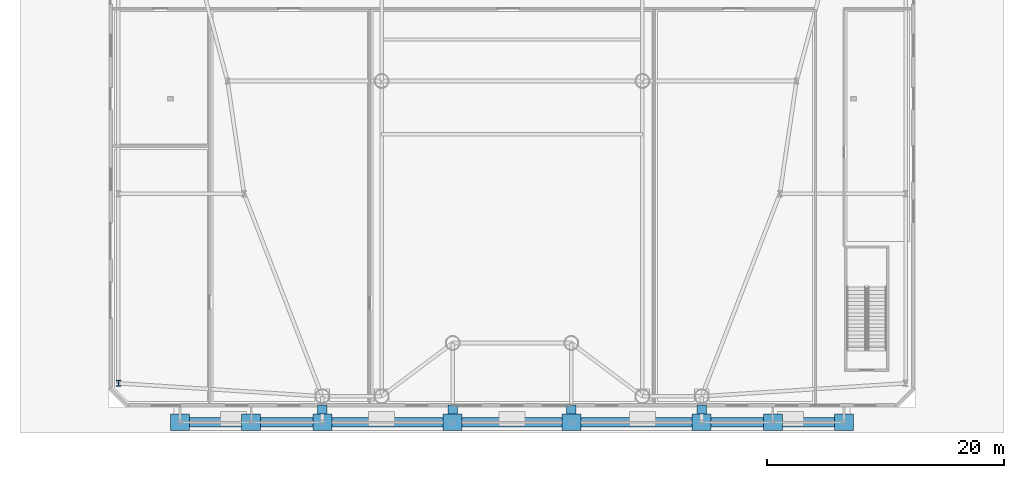
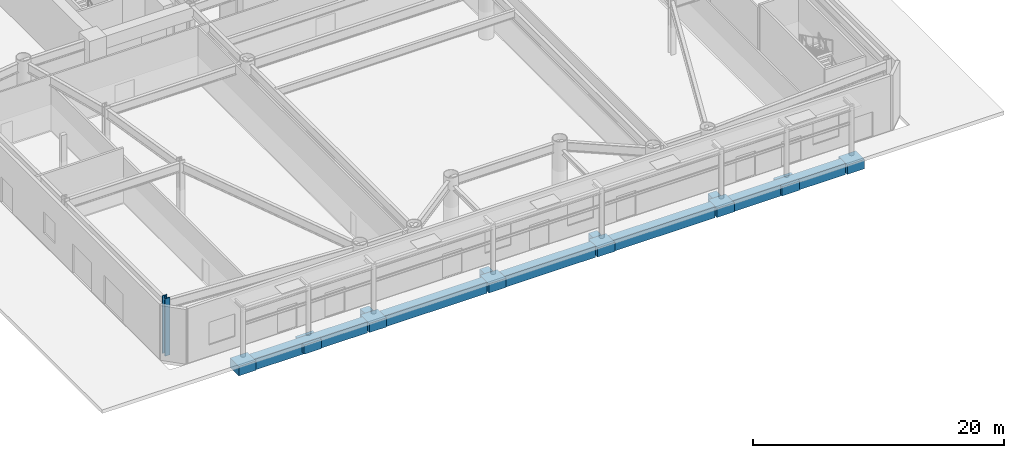
# One storey, part 1 of 20: 17 footings, 1 column.
"""IFC4 building model written with IfcOpenShell, lengths in metres."""

from ifc_helpers import new_model, si_unit, direction, frame, origin, origin_2d, place, context, subcontext, project, spatial, rectangle, i_section, extrude, source, transform, mapped, material, material_profile, profile_set, type_object, element, save


model = new_model("IFC4")

# Units and contexts
model_context = context("Model", 3, precision=1e-05, world=origin(), true_north=direction((0.0, 1.0)))
body_context = subcontext(model_context, "Body", "Model", "MODEL_VIEW")
ifc_project = project(units=[si_unit("LENGTHUNIT", "METRE"), si_unit("AREAUNIT", "SQUARE_METRE"), si_unit("VOLUMEUNIT", "CUBIC_METRE"), si_unit("PLANEANGLEUNIT", "RADIAN"), si_unit("MASSUNIT", "GRAM", prefix="KILO")], contexts=[model_context])

# Site, building, storey
site_placement = place(None, origin())
site = spatial("IfcSite", under=ifc_project, at=site_placement, CompositionType="ELEMENT")
building_placement = place(site_placement, origin())
building = spatial("IfcBuilding", under=site, at=building_placement, Name="Vaeldorn Concourse Tower", CompositionType="ELEMENT")
storey_placement = place(building_placement, origin())
storey = spatial("IfcBuildingStorey", under=building, at=storey_placement, Name="L00", CompositionType="ELEMENT", Elevation=0.0)

# Footings
ifc_material_1 = material(Name="Concrete C50/60", Category="concrete")
footing_type_1 = type_object("IfcFootingType", Name="FT-PAD-1600", PredefinedType="PAD_FOOTING", material=ifc_material_1)
shared_shape_1 = source(origin(), body_context, "Body", "SweptSolid", [
    extrude(rectangle(XDim=1.60009765625, YDim=1.39990234375, at=origin_2d()), origin(), (0.0, 0.0, 1.0), 0.89990234375),
])
for number, where, z_axis, x_axis, name in (
    (1, (6.0, -1.300048828125, -1.25), (0.0, 0.0, 1.0), (1.0, 0.0, 0.0), "South Forecourt Canopy Pad Footing 1"),
    (2, (18.0, -1.300048828125, -1.25), (0.0, 0.0, 1.0), (1.0, 0.0, 0.0), "South Forecourt Canopy Pad Footing 2"),
):
    element("IfcFooting", number, at=place(storey_placement, frame(where, z_axis=z_axis, x_axis=x_axis)), inside=storey, type_object=footing_type_1, Name=name, PredefinedType="PAD_FOOTING", context=body_context, shape_type="MappedRepresentation", body=[
        mapped(shared_shape_1, transform((0.0, 0.0, 0.0), scale=1.0)),
    ])
footing_type_2 = type_object("IfcFootingType", Name="FT-PAD-2000", PredefinedType="PAD_FOOTING", material=ifc_material_1)
for number, where, z_axis, x_axis, name in (
    (3, (29.0, -1.300048828125, -1.25), (0.0, 0.0, 1.0), (1.0, 0.0, 0.0), "South Forecourt Canopy Pad Footing 3"),
    (4, (39.0, -1.300048828125, -1.25), (0.0, 0.0, 1.0), (1.0, 0.0, 0.0), "South Forecourt Canopy Pad Footing 4"),
):
    element("IfcFooting", number, at=place(storey_placement, frame(where, z_axis=z_axis, x_axis=x_axis)), inside=storey, type_object=footing_type_2, Name=name, PredefinedType="PAD_FOOTING", context=body_context, shape_type="MappedRepresentation", body=[
        mapped(shared_shape_1, transform((0.0, 0.0, 0.0), scale=1.0)),
    ])
for number, where, z_axis, x_axis, name in (
    (5, (50.0, -1.300048828125, -1.25), (0.0, 0.0, 1.0), (1.0, 0.0, 0.0), "South Forecourt Canopy Pad Footing 5"),
    (6, (62.0, -1.300048828125, -1.25), (0.0, 0.0, 1.0), (1.0, 0.0, 0.0), "South Forecourt Canopy Pad Footing 6"),
    (7, (12.0, -1.300048828125, -1.25), (0.0, 0.0, 1.0), (1.0, 0.0, 0.0), "South Forecourt Canopy Pad Footing 1B"),
    (8, (56.0, -1.300048828125, -1.25), (0.0, 0.0, 1.0), (1.0, 0.0, 0.0), "South Forecourt Canopy Pad Footing 5B"),
):
    element("IfcFooting", number, at=place(storey_placement, frame(where, z_axis=z_axis, x_axis=x_axis)), inside=storey, type_object=footing_type_1, Name=name, PredefinedType="PAD_FOOTING", context=body_context, shape_type="MappedRepresentation", body=[
        mapped(shared_shape_1, transform((0.0, 0.0, 0.0), scale=1.0)),
    ])
ifc_material_profile_1 = material_profile(ifc_material_1, rectangle(XDim=0.800048828125, YDim=1.10009765625, at=origin_2d()), Name="RC 800x1100")
ifc_profile_set_1 = profile_set([ifc_material_profile_1], Name="Concrete C50/60")
footing_type_3 = type_object("IfcFootingType", Name="FT-GB-800x1100", PredefinedType="FOOTING_BEAM", material=ifc_profile_set_1)
shared_shape_2 = source(origin(), body_context, "Body", "SweptSolid", [
    extrude(rectangle(XDim=0.800048828125, YDim=1.10009765625, at=origin_2d()), origin(), (0.0, 0.0, 1.0), 10.39990234375),
])
for number, where, z_axis, x_axis, name in (
    (9, (6.800048828125, -1.300048828125, -0.89990234375), (1.0, 0.0, 0.0), (0.0, 1.0, 0.0), "Forecourt Ground Beam 1"),
    (10, (50.800048828125, -1.300048828125, -0.89990234375), (1.0, 0.0, 0.0), (0.0, 1.0, 0.0), "Forecourt Ground Beam 5"),
):
    element("IfcFooting", number, at=place(storey_placement, frame(where, z_axis=z_axis, x_axis=x_axis)), inside=storey, type_object=footing_type_3, Name=name, PredefinedType="FOOTING_BEAM", context=body_context, shape_type="MappedRepresentation", body=[
        mapped(shared_shape_2, transform((0.0, 0.0, 0.0), scale=1.0)),
    ])
shared_shape_3 = source(origin(), body_context, "Body", "SweptSolid", [
    extrude(rectangle(XDim=0.800048828125, YDim=1.10009765625, at=origin_2d()), origin(), (0.0, 0.0, 1.0), 9.39990234375),
])
for number, where, z_axis, x_axis, name in (
    (11, (18.800048828125, -1.300048828125, -0.89990234375), (1.0, 0.0, 0.0), (0.0, 1.0, 0.0), "Forecourt Ground Beam 2"),
    (12, (39.800048828125, -1.300048828125, -0.89990234375), (1.0, 0.0, 0.0), (0.0, 1.0, 0.0), "Forecourt Ground Beam 4"),
):
    element("IfcFooting", number, at=place(storey_placement, frame(where, z_axis=z_axis, x_axis=x_axis)), inside=storey, type_object=footing_type_3, Name=name, PredefinedType="FOOTING_BEAM", context=body_context, shape_type="MappedRepresentation", body=[
        mapped(shared_shape_3, transform((0.0, 0.0, 0.0), scale=1.0)),
    ])
shared_shape_4 = source(origin(), body_context, "Body", "SweptSolid", [
    extrude(rectangle(XDim=0.800048828125, YDim=1.10009765625, at=origin_2d()), origin(), (0.0, 0.0, 1.0), 8.39990234375),
])
footing_placement = place(storey_placement, frame((29.800048828125, -1.300048828125, -0.89990234375), z_axis=(1.0, 0.0, 0.0), x_axis=(0.0, 1.0, 0.0)))
element("IfcFooting", 13, at=footing_placement, inside=storey, type_object=footing_type_3, Name="Forecourt Ground Beam 3", PredefinedType="FOOTING_BEAM", context=body_context, shape_type="MappedRepresentation", body=[
    mapped(shared_shape_4, transform((0.0, 0.0, 0.0), scale=1.0)),
])
shared_shape_5 = source(origin(), body_context, "Body", "SweptSolid", [
    extrude(rectangle(XDim=0.800048828125, YDim=1.10009765625, at=origin_2d()), origin(), (0.0, 0.0, 1.0), 0.75),
])
for number, where, z_axis, x_axis, name in (
    (14, (18.0, -0.60009765625, -0.89990234375), (0.0, 1.0, 0.0), (-1.0, 0.0, 0.0), "Forecourt Tie Ground Beam W"),
    (15, (29.0, -0.60009765625, -0.89990234375), (0.0, 1.0, 0.0), (-1.0, 0.0, 0.0), "Forecourt Tie Ground Beam M1"),
    (16, (39.0, -0.60009765625, -0.89990234375), (0.0, 1.0, 0.0), (-1.0, 0.0, 0.0), "Forecourt Tie Ground Beam M2"),
    (17, (50.0, -0.60009765625, -0.89990234375), (0.0, 1.0, 0.0), (-1.0, 0.0, 0.0), "Forecourt Tie Ground Beam E"),
):
    element("IfcFooting", number, at=place(storey_placement, frame(where, z_axis=z_axis, x_axis=x_axis)), inside=storey, type_object=footing_type_3, Name=name, PredefinedType="FOOTING_BEAM", context=body_context, shape_type="MappedRepresentation", body=[
        mapped(shared_shape_5, transform((0.0, 0.0, 0.0), scale=1.0)),
    ])

# Column
ifc_material_2 = material(Name="Steel S460", Category="steel")
ifc_material_profile_2 = material_profile(ifc_material_2, i_section(OverallWidth=0.44189453125, OverallDepth=0.531005859375, WebThickness=0.06494140625, FlangeThickness=0.075927734375, FilletRadius=0.014892578125, at=origin_2d()), Name="HD 400x900")
ifc_profile_set_2 = profile_set([ifc_material_profile_2], Name="Steel S460")
column_type = type_object("IfcColumnType", Name="COL-HD900F", PredefinedType="COLUMN", material=ifc_profile_set_2)
shared_shape_6 = source(origin(), body_context, "Body", "SweptSolid", [
    extrude(i_section(OverallWidth=0.44189453125, OverallDepth=0.531005859375, WebThickness=0.06494140625, FlangeThickness=0.075927734375, FilletRadius=0.014892578125, at=origin_2d()), origin(), (0.0, 0.0, 1.0), 5.60009765625),
])
column_placement = place(storey_placement, frame((0.800048828125, 2.0, 0.0), z_axis=(0.0, 0.0, 1.0), x_axis=(1.0, 0.0, 0.0)))
element("IfcColumn", 18, at=column_placement, inside=storey, type_object=column_type, Name="Column C-PW1 L00", PredefinedType="COLUMN", context=body_context, shape_type="MappedRepresentation", body=[
    mapped(shared_shape_6, transform((0.0, 0.0, 0.0), scale=1.0)),
])

save(model, "model.ifc")
